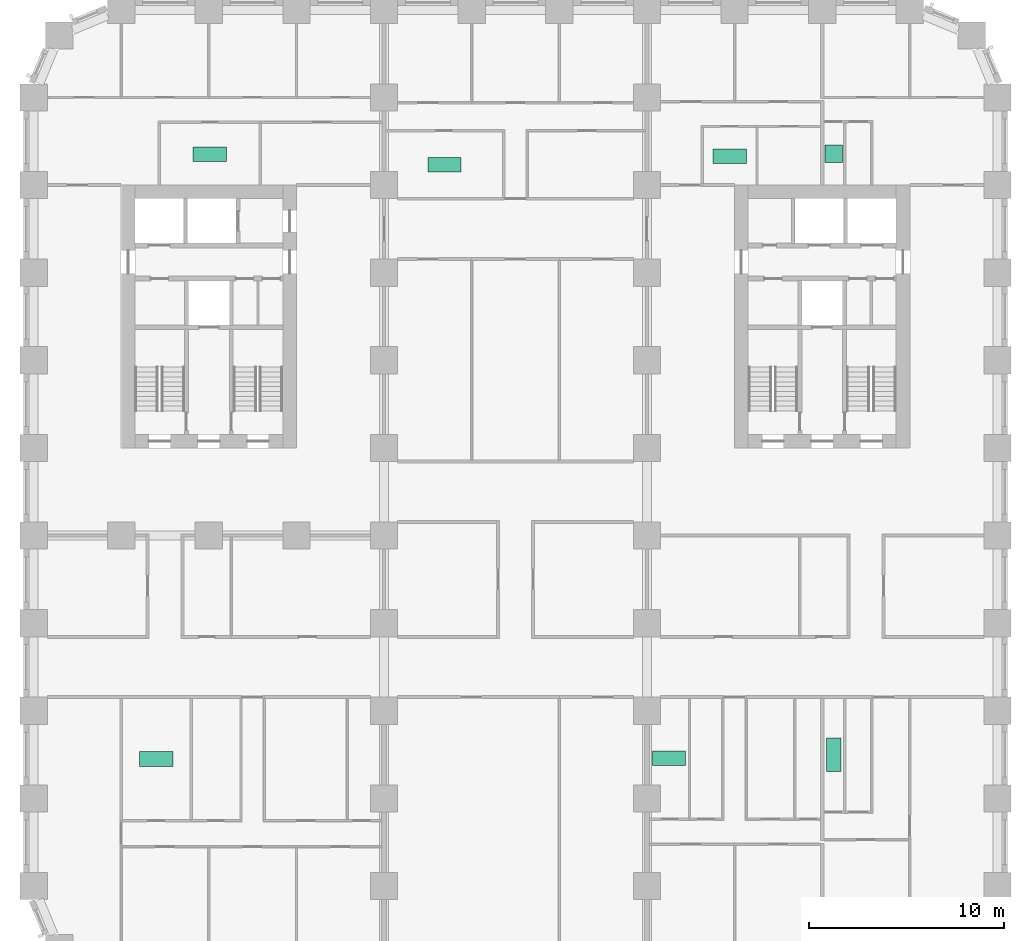
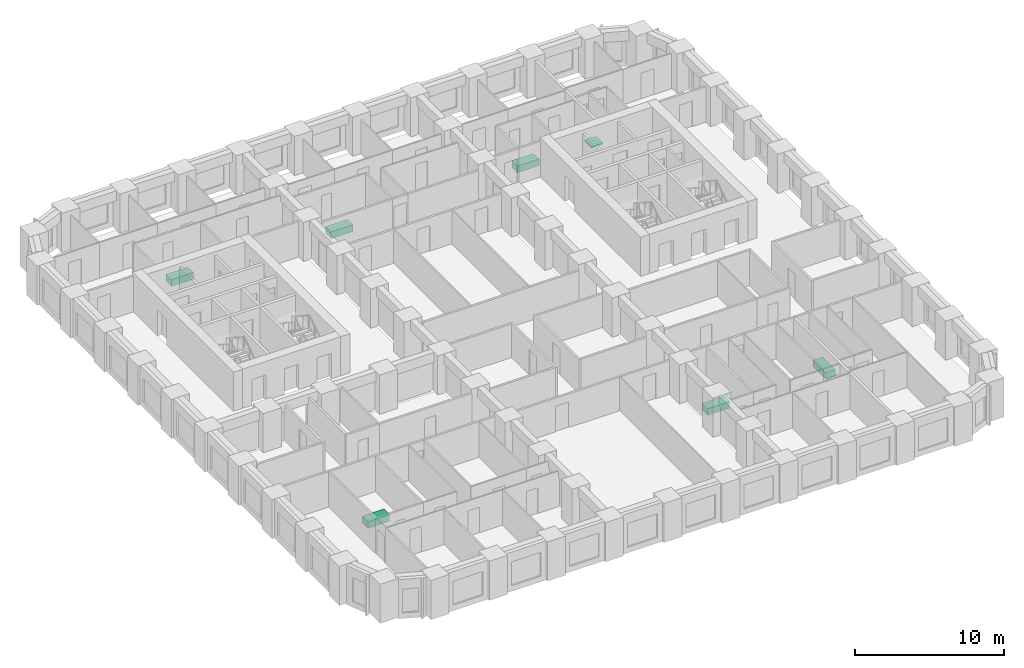
# One storey, part 13 of 13: 7 sanitary terminals.
"""IFC4 building model written with IfcOpenShell, lengths in metres."""

from ifc_helpers import new_model, si_unit, direction, frame, origin, origin_2d, place, context, subcontext, project, spatial, rectangle, extrude, material, type_object, element, save


model = new_model("IFC4")

# Units and contexts
model_context = context("Model", 3, precision=1e-05, world=origin(), true_north=direction((0.0, 1.0)))
body_context = subcontext(model_context, "Body", "Model", "MODEL_VIEW")
ifc_project = project(units=[si_unit("LENGTHUNIT", "METRE"), si_unit("AREAUNIT", "SQUARE_METRE"), si_unit("VOLUMEUNIT", "CUBIC_METRE"), si_unit("PLANEANGLEUNIT", "RADIAN"), si_unit("MASSUNIT", "GRAM", prefix="KILO")], contexts=[model_context])

# Site, building, storey
site_placement = place(None, origin())
site = spatial("IfcSite", under=ifc_project, at=site_placement, CompositionType="ELEMENT")
building_placement = place(site_placement, origin())
building = spatial("IfcBuilding", under=site, at=building_placement, Name="Girih Gate Residences", CompositionType="ELEMENT")
storey_placement = place(building_placement, frame((0.0, 0.0, 52.800048828125)))
storey = spatial("IfcBuildingStorey", under=building, at=storey_placement, Name="L13", CompositionType="ELEMENT", Elevation=52.800048828125)

# Sanitary terminals
ifc_material = material(Name="Acrylic")
sanitary_terminal_type_1 = type_object("IfcSanitaryTerminalType", Name="Bath 1700", PredefinedType="BATH", material=ifc_material)
for number, where, z_axis, x_axis, name in (
    (1, (6.300048828125, 11.02392578125, 0.0), (0.0, 0.0, 1.0), (1.0, 0.0, 0.0), "Bath 1700 L13"),
    (2, (9.047119140625, 42.0791015625, 0.0), (0.0, 0.0, 1.0), (1.0, 0.0, 0.0), "Bath 1700 L13"),
):
    element("IfcSanitaryTerminal", number, at=place(storey_placement, frame(where, z_axis=z_axis, x_axis=x_axis)), inside=storey, type_object=sanitary_terminal_type_1, Name=name, PredefinedType="BATH", context=body_context, shape_type="SweptSolid", body=[
        extrude(rectangle(XDim=1.699951171875, YDim=0.75, at=origin_2d()), origin(), (0.0, 0.0, 1.0), 0.550048828125),
    ])
sanitary_terminal_1_placement = place(storey_placement, frame((41.097900390625, 11.243896484375, 0.0), z_axis=(0.0, 0.0, 1.0), x_axis=(1.0, 0.0, 0.0)))
element("IfcSanitaryTerminal", 3, at=sanitary_terminal_1_placement, inside=storey, type_object=sanitary_terminal_type_1, Name="Bath 1700 L13", PredefinedType="BATH", context=body_context, shape_type="SweptSolid", body=[
    extrude(rectangle(XDim=0.75, YDim=1.699951171875, at=origin_2d()), origin(), (0.0, 0.0, 1.0), 0.550048828125),
])
for number, where, z_axis, x_axis, name in (
    (4, (32.623046875, 11.06396484375, 0.0), (0.0, 0.0, 1.0), (1.0, 0.0, 0.0), "Bath 1700 L13"),
    (5, (35.75, 41.97412109375, 0.0), (0.0, 0.0, 1.0), (1.0, 0.0, 0.0), "Bath 1700 L13"),
    (6, (21.093994140625, 41.555908203125, 0.0), (0.0, 0.0, 1.0), (1.0, 0.0, 0.0), "Bath 1700 L13"),
):
    element("IfcSanitaryTerminal", number, at=place(storey_placement, frame(where, z_axis=z_axis, x_axis=x_axis)), inside=storey, type_object=sanitary_terminal_type_1, Name=name, PredefinedType="BATH", context=body_context, shape_type="SweptSolid", body=[
        extrude(rectangle(XDim=1.699951171875, YDim=0.75, at=origin_2d()), origin(), (0.0, 0.0, 1.0), 0.550048828125),
    ])
sanitary_terminal_type_2 = type_object("IfcSanitaryTerminalType", Name="Shower tray 900", PredefinedType="SHOWER", material=ifc_material)
sanitary_terminal_2_placement = place(storey_placement, frame((41.097900390625, 42.09912109375, 0.0), z_axis=(0.0, 0.0, 1.0), x_axis=(1.0, 0.0, 0.0)))
element("IfcSanitaryTerminal", 7, at=sanitary_terminal_2_placement, inside=storey, type_object=sanitary_terminal_type_2, Name="Shower tray 900 L13", PredefinedType="SHOWER", context=body_context, shape_type="SweptSolid", body=[
    extrude(rectangle(XDim=0.89990234375, YDim=0.89990234375, at=origin_2d()), origin(), (0.0, 0.0, 1.0), 0.10009765625),
])

save(model, "model.ifc")
